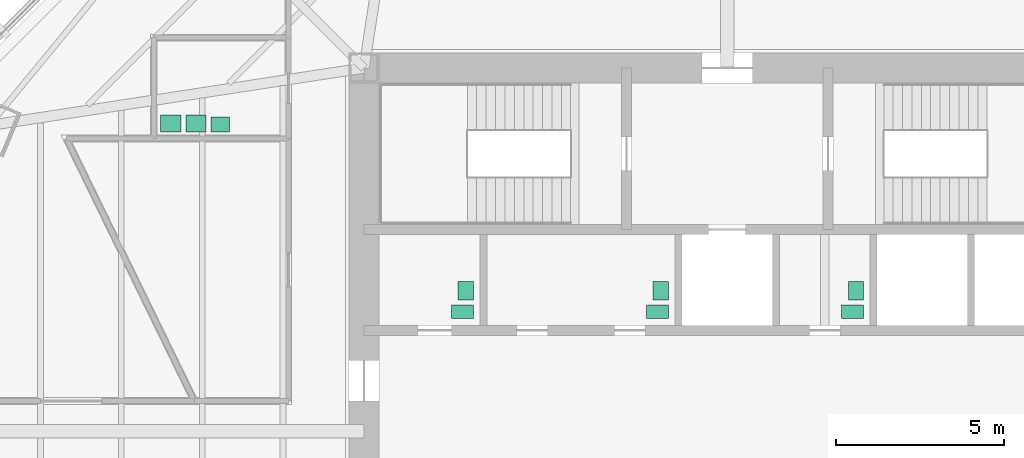
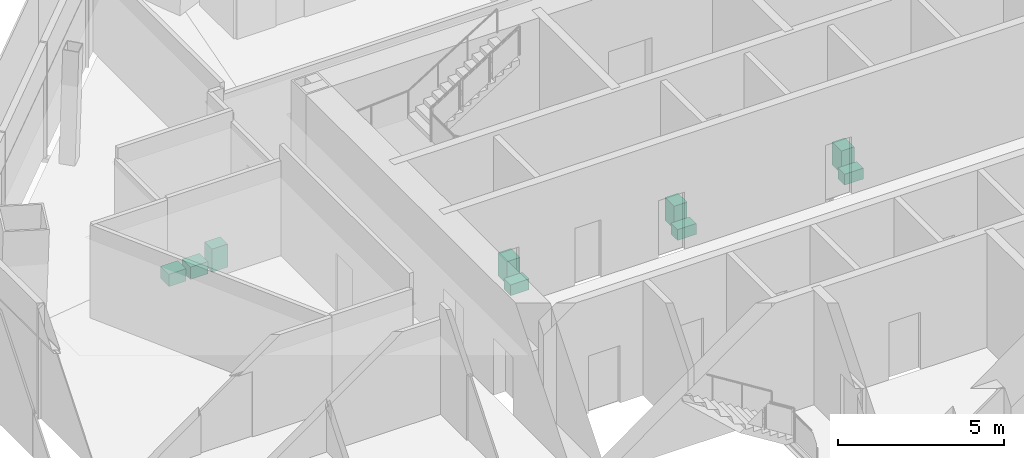
# One storey, part 15 of 15: 9 sanitary terminals.
"""IFC4 building model written with IfcOpenShell, lengths in metres."""

from ifc_helpers import new_model, si_unit, direction, frame, origin, origin_2d, place, context, subcontext, project, spatial, rectangle, extrude, material, type_object, element, save


model = new_model("IFC4")

# Units and contexts
model_context = context("Model", 3, precision=1e-05, world=origin(), true_north=direction((0.0, 1.0)))
body_context = subcontext(model_context, "Body", "Model", "MODEL_VIEW")
ifc_project = project(units=[si_unit("LENGTHUNIT", "METRE"), si_unit("AREAUNIT", "SQUARE_METRE"), si_unit("VOLUMEUNIT", "CUBIC_METRE"), si_unit("PLANEANGLEUNIT", "RADIAN"), si_unit("MASSUNIT", "GRAM", prefix="KILO")], contexts=[model_context])

# Site, building, storey
site_placement = place(None, origin())
site = spatial("IfcSite", under=ifc_project, at=site_placement, CompositionType="ELEMENT")
building_placement = place(site_placement, origin())
building = spatial("IfcBuilding", under=site, at=building_placement, Name="Mashrafa Tower", CompositionType="ELEMENT")
storey_placement = place(building_placement, frame((0.0, 0.0, 155.39990234375)))
storey = spatial("IfcBuildingStorey", under=building, at=storey_placement, Name="L35", CompositionType="ELEMENT", Elevation=155.39990234375)

# Sanitary terminals
ifc_material_1 = material(Name="Stainless steel", Category="steel")
sanitary_terminal_type_1 = type_object("IfcSanitaryTerminalType", Name="Ablution wash station 600 x 500", PredefinedType="WASHHANDBASIN", material=ifc_material_1)
for number, where, z_axis, x_axis, name in (
    (1, (-16.550048828125, 9.14990234375, 0.0), (0.0, 0.0, 1.0), (1.0, 0.0, 0.0), "Ablution wash station Ablution Room L35"),
    (2, (-15.800048828125, 9.14990234375, 0.0), (0.0, 0.0, 1.0), (1.0, 0.0, 0.0), "Ablution wash station Ablution Room L35"),
):
    element("IfcSanitaryTerminal", number, at=place(storey_placement, frame(where, z_axis=z_axis, x_axis=x_axis)), inside=storey, type_object=sanitary_terminal_type_1, Name=name, PredefinedType="WASHHANDBASIN", context=body_context, shape_type="SweptSolid", body=[
        extrude(rectangle(XDim=0.60009765625, YDim=0.5, at=origin_2d()), origin(), (0.0, 0.0, 1.0), 0.449951171875),
    ])
ifc_material_2 = material(Name="Vitreous china")
sanitary_terminal_type_2 = type_object("IfcSanitaryTerminalType", Name="Toilet pan 400 x 650", PredefinedType="TOILETPAN", material=ifc_material_2)
for number, where, z_axis, x_axis, name in (
    (3, (-7.875, 3.550048828125, 0.000244140625), (0.0, 0.0, 1.0), (0.0, 1.0, 0.0), "Toilet pan Accessible WC L35"),
    (4, (-2.074951171875, 3.550048828125, 0.000244140625), (0.0, 0.0, 1.0), (0.0, 1.0, 0.0), "Toilet pan WC Male L35"),
    (5, (3.72509765625, 3.550048828125, 0.000244140625), (0.0, 0.0, 1.0), (0.0, 1.0, 0.0), "Toilet pan WC Female L35"),
):
    element("IfcSanitaryTerminal", number, at=place(storey_placement, frame(where, z_axis=z_axis, x_axis=x_axis)), inside=storey, type_object=sanitary_terminal_type_2, Name=name, PredefinedType="TOILETPAN", context=body_context, shape_type="SweptSolid", body=[
        extrude(rectangle(XDim=0.39990234375, YDim=0.64990234375, at=origin_2d()), origin(), (0.0, 0.0, 1.0), 0.39990234375),
    ])
ifc_material_3 = material(Name="Vitreous china")
sanitary_terminal_type_3 = type_object("IfcSanitaryTerminalType", Name="Wash basin 550 x 450", PredefinedType="WASHHANDBASIN", material=ifc_material_3)
for number, where, z_axis, x_axis, name in (
    (6, (-7.77490234375, 4.175048828125, 0.0), (0.0, 0.0, 1.0), (0.0, 1.0, 0.0), "Wash basin Accessible WC L35"),
    (7, (-1.97509765625, 4.175048828125, 0.0), (0.0, 0.0, 1.0), (0.0, 1.0, 0.0), "Wash basin WC Male L35"),
    (8, (3.824951171875, 4.175048828125, 0.0), (0.0, 0.0, 1.0), (0.0, 1.0, 0.0), "Wash basin WC Female L35"),
    (9, (-15.074951171875, 9.125, 0.0), (0.0, 0.0, 1.0), (1.0, 0.0, 0.0), "Wash basin Ablution Room L35"),
):
    element("IfcSanitaryTerminal", number, at=place(storey_placement, frame(where, z_axis=z_axis, x_axis=x_axis)), inside=storey, type_object=sanitary_terminal_type_3, Name=name, PredefinedType="WASHHANDBASIN", context=body_context, shape_type="SweptSolid", body=[
        extrude(rectangle(XDim=0.550048828125, YDim=0.449951171875, at=origin_2d()), origin(), (0.0, 0.0, 1.0), 0.85009765625),
    ])

save(model, "model.ifc")
